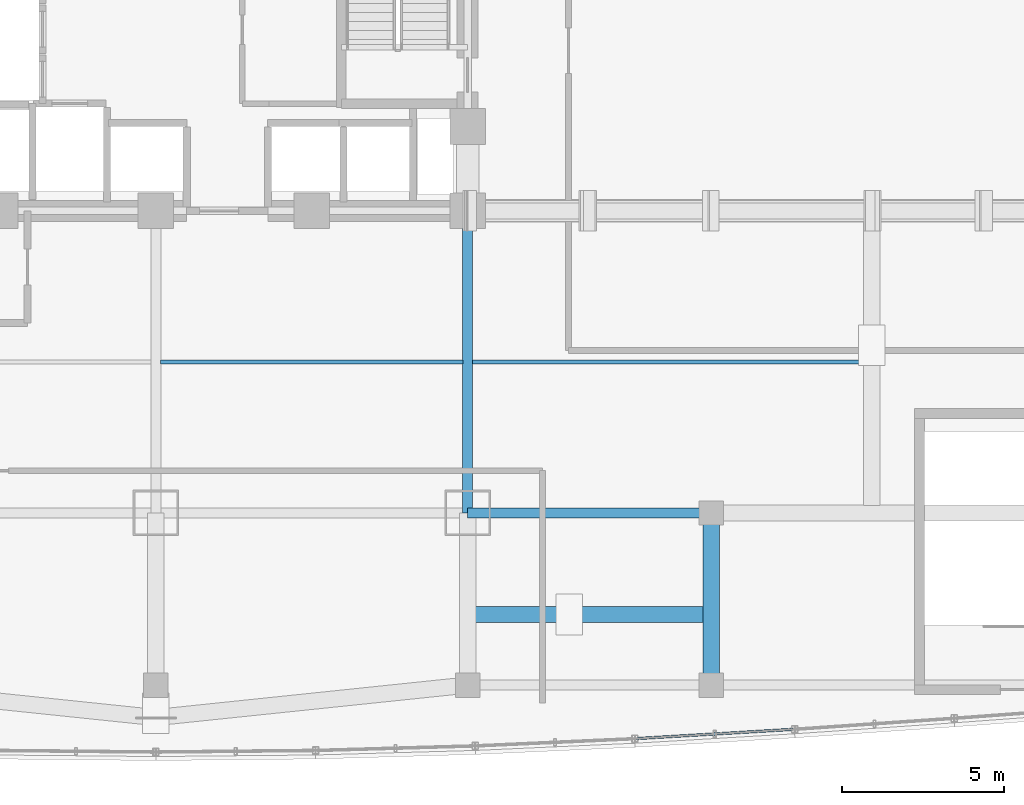
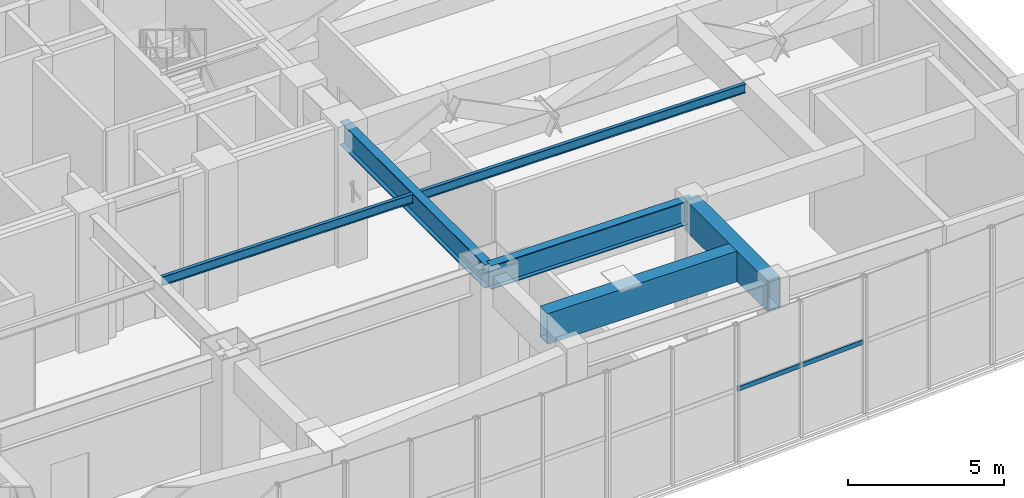
# One storey, part 7 of 19: 6 beams, 1 member, 1 element without a shape of its own.
"""IFC4 building model written with IfcOpenShell, lengths in metres."""

from ifc_helpers import new_model, si_unit, direction, frame, origin, origin_2d, place, context, subcontext, project, spatial, hollow_rectangle, i_section, extrude, material, layer, layer_set, material_profile, profile_set, type_object, element, aggregate, save


model = new_model("IFC4")

# Units and contexts
model_context = context("Model", 3, precision=1e-05, world=origin(), true_north=direction((0.0, 1.0)))
body_context = subcontext(model_context, "Body", "Model", "MODEL_VIEW")
ifc_project = project(units=[si_unit("LENGTHUNIT", "METRE"), si_unit("AREAUNIT", "SQUARE_METRE"), si_unit("VOLUMEUNIT", "CUBIC_METRE"), si_unit("PLANEANGLEUNIT", "RADIAN"), si_unit("MASSUNIT", "GRAM", prefix="KILO")], contexts=[model_context])

# Site, building, storey
site_placement = place(None, origin())
site = spatial("IfcSite", under=ifc_project, at=site_placement, CompositionType="ELEMENT")
building_placement = place(site_placement, origin())
building = spatial("IfcBuilding", under=site, at=building_placement, Name="Vantalir Tower", CompositionType="ELEMENT")
storey_placement = place(building_placement, frame((0.0, 0.0, 21.5)))
storey = spatial("IfcBuildingStorey", under=building, at=storey_placement, Name="L04", CompositionType="ELEMENT", Elevation=21.5)

# Beams
ifc_material_1 = material(Name="Steel S355", Category="steel")
ifc_material_profile_1 = material_profile(ifc_material_1, i_section(OverallWidth=0.1259765625, OverallDepth=0.35302734375, WebThickness=0.006591796875, FlangeThickness=0.0107421875, at=origin_2d()), Name="Steel S355")
ifc_profile_set_1 = profile_set([ifc_material_profile_1], Name="Steel S355")
beam_type_1 = type_object("IfcBeamType", Name="BM-JS-356x127", PredefinedType="JOIST", material=ifc_profile_set_1)
beam_1_placement = place(storey_placement, frame((31.64501953125, 13.14990234375, 5.10400390625), z_axis=(1.0, 0.0, 0.0), x_axis=(0.0, 1.0, 0.0)))
element("IfcBeam", 1, at=beam_1_placement, inside=storey, type_object=beam_type_1, Name="L04 Secondary Composite Joist 05", PredefinedType="JOIST", context=body_context, shape_type="SweptSolid", body=[
    extrude(i_section(OverallWidth=0.1259765625, OverallDepth=0.35302734375, WebThickness=0.006591796875, FlangeThickness=0.0107421875, at=origin_2d()), origin(), (0.0, 0.0, 1.0), 9.31005859375),
])
beam_2_placement = place(storey_placement, frame((41.2548828125, 13.14990234375, 5.10400390625), z_axis=(1.0, 0.0, 0.0), x_axis=(0.0, 1.0, 0.0)))
element("IfcBeam", 2, at=beam_2_placement, inside=storey, type_object=beam_type_1, Name="L04 South-East Secondary Composite Joist SE1", PredefinedType="JOIST", context=body_context, shape_type="SweptSolid", body=[
    extrude(i_section(OverallWidth=0.1259765625, OverallDepth=0.35302734375, WebThickness=0.006591796875, FlangeThickness=0.0107421875, at=origin_2d()), origin(), (0.0, 0.0, 1.0), 12.030029296875),
])
ifc_material_profile_2 = material_profile(ifc_material_1, i_section(OverallWidth=0.30810546875, OverallDepth=0.927001953125, WebThickness=0.01953125, FlangeThickness=0.031982421875, at=origin_2d()), Name="Steel S355")
ifc_profile_set_2 = profile_set([ifc_material_profile_2], Name="Steel S355")
beam_type_2 = type_object("IfcBeamType", Name="BM-PG-914x305", PredefinedType="USERDEFINED", material=ifc_profile_set_2)
beam_3_placement = place(storey_placement, frame((41.10009765625, 8.5, 4.81591796875), z_axis=(1.0, 0.0, 0.0), x_axis=(0.0, 1.0, 0.0)))
element("IfcBeam", 3, at=beam_3_placement, inside=storey, type_object=beam_type_2, Name="L04 Podium E-W Girder 12", ObjectType="GIRDER", PredefinedType="USERDEFINED", context=body_context, shape_type="SweptSolid", body=[
    extrude(i_section(OverallWidth=0.30810546875, OverallDepth=0.927001953125, WebThickness=0.01953125, FlangeThickness=0.031982421875, at=origin_2d()), origin(), (0.0, 0.0, 1.0), 7.5),
])
beam_4_placement = place(storey_placement, frame((41.10009765625, 8.5, 4.81591796875), z_axis=(0.0, 1.0, 0.0), x_axis=(-1.0, 0.0, 0.0)))
element("IfcBeam", 4, at=beam_4_placement, inside=storey, type_object=beam_type_2, Name="L04 Podium N-S Girder 66", ObjectType="GIRDER", PredefinedType="USERDEFINED", context=body_context, shape_type="SweptSolid", body=[
    extrude(i_section(OverallWidth=0.30810546875, OverallDepth=0.927001953125, WebThickness=0.01953125, FlangeThickness=0.031982421875, at=origin_2d()), origin(), (0.0, 0.0, 1.0), 9.300048828125),
])
ifc_material_2 = material(Name="Steel S460", Category="steel")
ifc_material_profile_3 = material_profile(ifc_material_2, hollow_rectangle(XDim=0.5, YDim=1.199951171875, WallThickness=0.0400390625, at=origin_2d()), Name="Steel S460")
ifc_profile_set_3 = profile_set([ifc_material_profile_3], Name="Steel S460")
beam_type_3 = type_object("IfcBeamType", Name="BM-XG-1200x500", PredefinedType="USERDEFINED", material=ifc_profile_set_3)
beam_5_placement = place(storey_placement, frame((48.60009765625, 3.199951171875, 4.679931640625), z_axis=(0.0, 1.0, 0.0), x_axis=(-1.0, 0.0, 0.0)))
element("IfcBeam", 5, at=beam_5_placement, inside=storey, type_object=beam_type_3, Name="L04 Ring Transfer Girder PRI-X8S", ObjectType="GIRDER", PredefinedType="USERDEFINED", context=body_context, shape_type="SweptSolid", body=[
    extrude(hollow_rectangle(XDim=0.5, YDim=1.199951171875, WallThickness=0.0400390625, at=origin_2d()), origin(), (0.0, 0.0, 1.0), 5.300048828125),
])
beam_6_placement = place(storey_placement, frame((41.324951171875, 5.3720703125, 4.679931640625), z_axis=(1.0, 0.0, 0.0), x_axis=(0.0, 1.0, 0.0)))
element("IfcBeam", 6, at=beam_6_placement, inside=storey, type_object=beam_type_3, Name="L04 Ring Transfer Girder SEC-RC11", ObjectType="GIRDER", PredefinedType="USERDEFINED", context=body_context, shape_type="SweptSolid", body=[
    extrude(hollow_rectangle(XDim=0.5, YDim=1.199951171875, WallThickness=0.0400390625, at=origin_2d()), origin(), (0.0, 0.0, 1.0), 7.050048828125),
])

# Curtain wall, member
ifc_material_3 = material(Name="Champagne-silver PVDF aluminium and double-silver Low-E glass", Category="aluminium")
ifc_layer = layer(ifc_material_3, 0.239990234375)
ifc_layer_set = layer_set([ifc_layer], Name="Champagne-silver PVDF aluminium and double-silver Low-E glass")
curtain_wall_type = type_object("IfcCurtainWallType", Name="CW-PODIUM-WF", PredefinedType="USERDEFINED", material=ifc_layer_set)
curtain_wall_placement = place(storey_placement, origin())
curtain_wall = element("IfcCurtainWall", 7, at=curtain_wall_placement, inside=storey, type_object=curtain_wall_type, Name="L04 Waterfront Stick Curtain Wall 10", ObjectType="STICK CURTAIN WALL", PredefinedType="USERDEFINED")
ifc_material_4 = material(Name="Champagne-silver PVDF aluminium 6063-T6", Category="aluminium")
ifc_material_profile_4 = material_profile(ifc_material_4, hollow_rectangle(XDim=0.080078125, YDim=0.179931640625, WallThickness=0.0048828125, at=origin_2d()), Name="Champagne-silver PVDF aluminium 6063-T6")
ifc_profile_set_4 = profile_set([ifc_material_profile_4], Name="Champagne-silver PVDF aluminium 6063-T6")
member_type = type_object("IfcMemberType", Name="CWT-180x80", PredefinedType="USERDEFINED", material=ifc_profile_set_4)
member_placement = place(storey_placement, frame((46.300048828125, 1.552978515625, 2.76611328125), z_axis=(0.998267212482, 0.058843627375, 0.0), x_axis=(-0.058843627375, 0.998267212482, 0.0)))
member = element("IfcMember", 8, at=member_placement, type_object=member_type, Name="CW-L04-WF-10 Transom 1", ObjectType="TRANSOM", PredefinedType="USERDEFINED", context=body_context, shape_type="SweptSolid", body=[
    extrude(hollow_rectangle(XDim=0.080078125, YDim=0.179931640625, WallThickness=0.0048828125, at=origin_2d()), origin(), (0.0, 0.0, 1.0), 4.8251953125),
])
aggregate(curtain_wall, [member])

save(model, "model.ifc")
